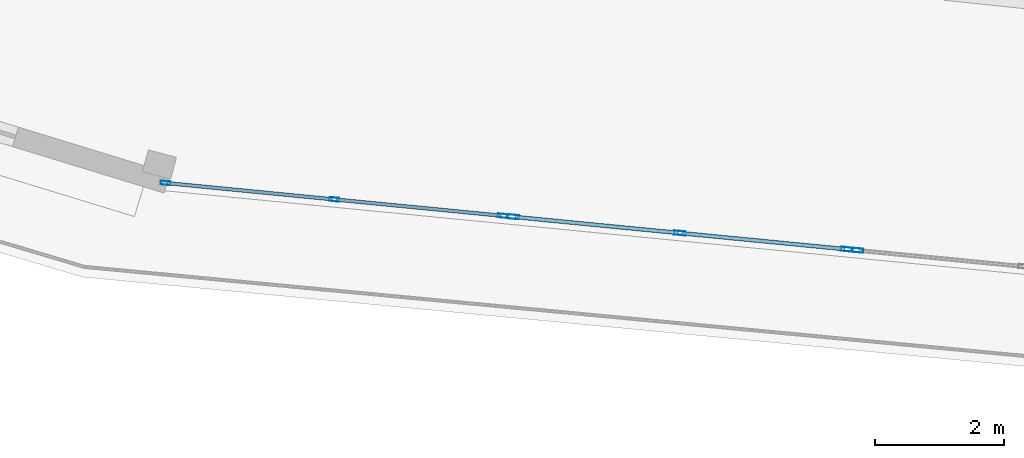
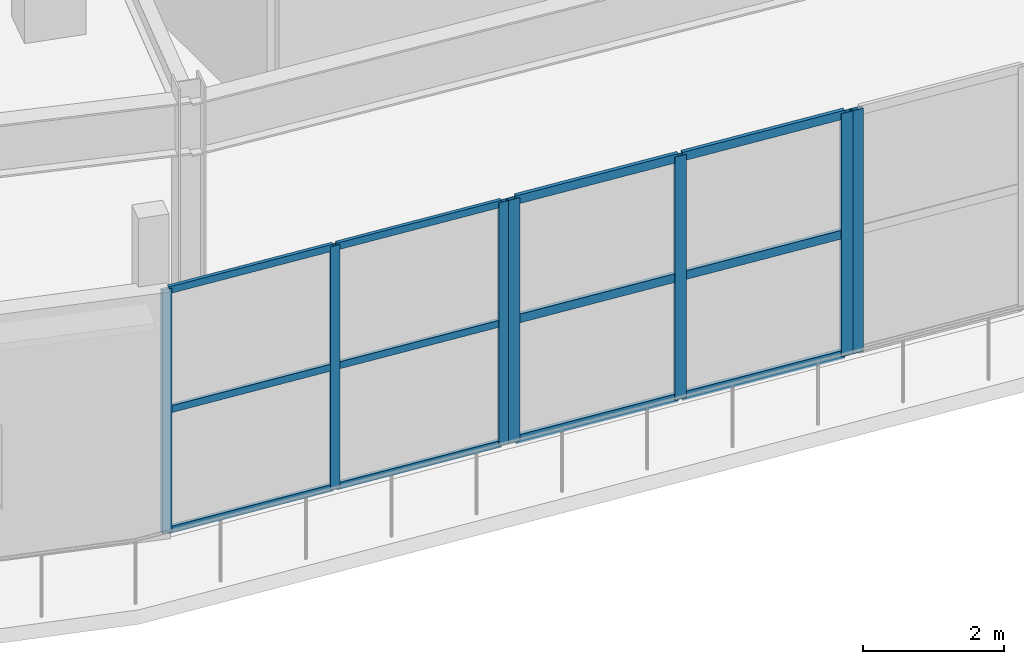
# One storey, part 28 of 123: 19 members, 3 elements without a shape of their own.
"""IFC4 building model written with IfcOpenShell, lengths in metres."""

from ifc_helpers import new_model, si_unit, direction, frame, origin, origin_2d, place, context, subcontext, project, spatial, hollow_rectangle, extrude, material, layer, layer_set, material_profile, profile_set, type_object, element, aggregate, save


model = new_model("IFC4")

# Units and contexts
model_context = context("Model", 3, precision=1e-05, world=origin(), true_north=direction((0.0, 1.0)))
body_context = subcontext(model_context, "Body", "Model", "MODEL_VIEW")
ifc_project = project(units=[si_unit("LENGTHUNIT", "METRE"), si_unit("AREAUNIT", "SQUARE_METRE"), si_unit("VOLUMEUNIT", "CUBIC_METRE"), si_unit("PLANEANGLEUNIT", "RADIAN"), si_unit("MASSUNIT", "GRAM", prefix="KILO")], contexts=[model_context])

# Site, building, storey
site_placement = place(None, origin())
site = spatial("IfcSite", under=ifc_project, at=site_placement, CompositionType="ELEMENT")
building_placement = place(site_placement, origin())
building = spatial("IfcBuilding", under=site, at=building_placement, Name="Kalgoora Escarpment Arena", CompositionType="ELEMENT")
storey_placement = place(building_placement, frame((0.0, 0.0, 9.89990234375)))
storey = spatial("IfcBuildingStorey", under=building, at=storey_placement, Name="L02", CompositionType="ELEMENT", Elevation=9.89990234375)

# Curtain wall, members
ifc_material_1 = material(Name=" Champagne anodised aluminium & double-glazed low-E", Category="aluminium")
ifc_layer_1 = layer(ifc_material_1, 0.154052734375)
ifc_layer_set_1 = layer_set([ifc_layer_1], Name="CW-UNIT-11")
curtain_wall_type_1 = type_object("IfcCurtainWallType", Name="CW-UNIT-11", PredefinedType="NOTDEFINED", material=ifc_layer_set_1)
curtain_wall_1_placement = place(storey_placement, origin())
curtain_wall_1 = element("IfcCurtainWall", 1, at=curtain_wall_1_placement, inside=storey, type_object=curtain_wall_type_1, Name="L02 unitised facade curtain wall 050", PredefinedType="NOTDEFINED")
ifc_material_2 = material(Name="Anodised aluminium 6063-T6", Category="aluminium")
ifc_material_profile_1 = material_profile(ifc_material_2, hollow_rectangle(XDim=0.06005859375, YDim=0.14990234375, WallThickness=0.00341796875, at=origin_2d()))
ifc_profile_set_1 = profile_set([ifc_material_profile_1], Name="Anodised aluminium 6063-T6")
member_type_1 = type_object("IfcMemberType", Name="MEM-CW-MULL-150", PredefinedType="MULLION", material=ifc_profile_set_1)
member_1_placement = place(storey_placement, frame((76.376220703125, 4.479736328125, 0.02001953125), z_axis=(0.0, 0.0, 1.0), x_axis=(-0.096853045283, -0.995298692664, 0.0)))
member_1 = element("IfcMember", 2, at=member_1_placement, type_object=member_type_1, Name="CW-11 mullion 1", PredefinedType="MULLION", context=body_context, shape_type="SweptSolid", body=[
    extrude(hollow_rectangle(XDim=0.06005859375, YDim=0.14990234375, WallThickness=0.00341796875, at=origin_2d()), origin(), (0.0, 0.0, 1.0), 4.205078125),
])
member_2_placement = place(storey_placement, frame((73.771728515625, 4.733154296875, 0.02001953125), z_axis=(0.0, 0.0, 1.0), x_axis=(-0.096853045283, -0.995298692664, 0.0)))
member_2 = element("IfcMember", 3, at=member_2_placement, type_object=member_type_1, Name="CW-11 mullion 2", PredefinedType="MULLION", context=body_context, shape_type="SweptSolid", body=[
    extrude(hollow_rectangle(XDim=0.06005859375, YDim=0.14990234375, WallThickness=0.00341796875, at=origin_2d()), origin(), (0.0, 0.0, 1.0), 4.205078125),
])
member_3_placement = place(storey_placement, frame((71.16748046875, 4.98681640625, 0.02001953125), z_axis=(0.0, 0.0, 1.0), x_axis=(-0.096853045283, -0.995298692664, 0.0)))
member_3 = element("IfcMember", 4, at=member_3_placement, type_object=member_type_1, Name="CW-11 mullion 3", PredefinedType="MULLION", context=body_context, shape_type="SweptSolid", body=[
    extrude(hollow_rectangle(XDim=0.06005859375, YDim=0.14990234375, WallThickness=0.00341796875, at=origin_2d()), origin(), (0.0, 0.0, 1.0), 4.205078125),
])

# Curtain wall, member
ifc_material_3 = material(Name=" Champagne anodised aluminium & double-glazed low-E", Category="aluminium")
ifc_layer_2 = layer(ifc_material_3, 0.166015625)
ifc_layer_set_2 = layer_set([ifc_layer_2], Name="CW-UNIT-09")
curtain_wall_type_2 = type_object("IfcCurtainWallType", Name="CW-UNIT-09", PredefinedType="NOTDEFINED", material=ifc_layer_set_2)
curtain_wall_2_placement = place(storey_placement, origin())
curtain_wall_2 = element("IfcCurtainWall", 5, at=curtain_wall_2_placement, inside=storey, type_object=curtain_wall_type_2, Name="L02 unitised facade curtain wall 048", PredefinedType="NOTDEFINED")
ifc_material_4 = material(Name="Anodised aluminium 6063-T6", Category="aluminium")
ifc_material_profile_2 = material_profile(ifc_material_4, hollow_rectangle(XDim=0.06494140625, YDim=0.179931640625, WallThickness=0.00390625, at=origin_2d()))
ifc_profile_set_2 = profile_set([ifc_material_profile_2], Name="Anodised aluminium 6063-T6")
member_type_2 = type_object("IfcMemberType", Name="MEM-CW-MULL-180", PredefinedType="MULLION", material=ifc_profile_set_2)
member_4_placement = place(storey_placement, frame((81.856689453125, 3.946533203125, 0.02001953125), z_axis=(0.0, 0.0, 1.0), x_axis=(-0.096859909317, -0.995298024698, 0.0)))
member_4 = element("IfcMember", 6, at=member_4_placement, type_object=member_type_2, Name="CW-09 mullion 3", PredefinedType="MULLION", context=body_context, shape_type="SweptSolid", body=[
    extrude(hollow_rectangle(XDim=0.06494140625, YDim=0.179931640625, WallThickness=0.00390625, at=origin_2d()), origin(), (0.0, 0.0, 1.0), 4.205078125),
])
aggregate(curtain_wall_2, [member_4])

# Curtain wall, members
ifc_material_5 = material(Name=" Champagne anodised aluminium & double-glazed low-E", Category="aluminium")
ifc_layer_3 = layer(ifc_material_5, 0.14990234375)
ifc_layer_set_3 = layer_set([ifc_layer_3], Name="CW-UNIT-10")
curtain_wall_type_3 = type_object("IfcCurtainWallType", Name="CW-UNIT-10", PredefinedType="NOTDEFINED", material=ifc_layer_set_3)
curtain_wall_3_placement = place(storey_placement, origin())
curtain_wall_3 = element("IfcCurtainWall", 7, at=curtain_wall_3_placement, inside=storey, type_object=curtain_wall_type_3, Name="L02 unitised facade curtain wall 049", PredefinedType="NOTDEFINED")
member_5_placement = place(storey_placement, frame((81.6923828125, 3.96240234375, 0.02001953125), z_axis=(0.0, 0.0, 1.0), x_axis=(-0.096859909317, -0.995298024698, 0.0)))
member_5 = element("IfcMember", 8, at=member_5_placement, type_object=member_type_2, Name="CW-10 mullion 1", PredefinedType="MULLION", context=body_context, shape_type="SweptSolid", body=[
    extrude(hollow_rectangle(XDim=0.06494140625, YDim=0.179931640625, WallThickness=0.00390625, at=origin_2d()), origin(), (0.0, 0.0, 1.0), 4.205078125),
])
member_6_placement = place(storey_placement, frame((79.115234375, 4.213134765625, 0.02001953125), z_axis=(0.0, 0.0, 1.0), x_axis=(-0.096859909317, -0.995298024698, 0.0)))
member_6 = element("IfcMember", 9, at=member_6_placement, type_object=member_type_2, Name="CW-10 mullion 2", PredefinedType="MULLION", context=body_context, shape_type="SweptSolid", body=[
    extrude(hollow_rectangle(XDim=0.06494140625, YDim=0.179931640625, WallThickness=0.00390625, at=origin_2d()), origin(), (0.0, 0.0, 1.0), 4.205078125),
])
member_7_placement = place(storey_placement, frame((76.5380859375, 4.464111328125, 0.02001953125), z_axis=(0.0, 0.0, 1.0), x_axis=(-0.096859909317, -0.995298024698, 0.0)))
member_7 = element("IfcMember", 10, at=member_7_placement, type_object=member_type_2, Name="CW-10 mullion 3", PredefinedType="MULLION", context=body_context, shape_type="SweptSolid", body=[
    extrude(hollow_rectangle(XDim=0.06494140625, YDim=0.179931640625, WallThickness=0.00390625, at=origin_2d()), origin(), (0.0, 0.0, 1.0), 4.205078125),
])

# Member
ifc_material_6 = material(Name="Anodised aluminium 6063-T6", Category="aluminium")
ifc_material_profile_3 = material_profile(ifc_material_6, hollow_rectangle(XDim=0.054931640625, YDim=0.1201171875, WallThickness=0.003173828125, at=origin_2d()))
ifc_profile_set_3 = profile_set([ifc_material_profile_3], Name="Anodised aluminium 6063-T6")
member_type_3 = type_object("IfcMemberType", Name="MEM-CW-TRAN-120", PredefinedType="USERDEFINED", material=ifc_profile_set_3)
member_8_placement = place(storey_placement, frame((76.346435546875, 4.482666015625, 0.047607421875), z_axis=(-0.995301156318, 0.096827724504, 0.0), x_axis=(-0.096827724504, -0.995301156318, 0.0)))
member_8 = element("IfcMember", 11, at=member_8_placement, type_object=member_type_3, Name="CW-11 transom 1.1", ObjectType="TRANSOM", PredefinedType="USERDEFINED", context=body_context, shape_type="SweptSolid", body=[
    extrude(hollow_rectangle(XDim=0.054931640625, YDim=0.1201171875, WallThickness=0.003173828125, at=origin_2d()), origin(), (0.0, 0.0, 1.0), 2.556640625),
])

member_9_placement = place(storey_placement, frame((76.346435546875, 4.482666015625, 2.132568359375), z_axis=(-0.995301156318, 0.096827724504, 0.0), x_axis=(-0.096827724504, -0.995301156318, 0.0)))
member_9 = element("IfcMember", 12, at=member_9_placement, type_object=member_type_3, Name="CW-11 transom 1.2", ObjectType="TRANSOM", PredefinedType="USERDEFINED", context=body_context, shape_type="SweptSolid", body=[
    extrude(hollow_rectangle(XDim=0.054931640625, YDim=0.1201171875, WallThickness=0.003173828125, at=origin_2d()), origin(), (0.0, 0.0, 1.0), 2.556640625),
])

member_10_placement = place(storey_placement, frame((76.346435546875, 4.482666015625, 4.197509765625), z_axis=(-0.995301156318, 0.096827724504, 0.0), x_axis=(-0.096827724504, -0.995301156318, 0.0)))
member_10 = element("IfcMember", 13, at=member_10_placement, type_object=member_type_3, Name="CW-11 transom 1.3", ObjectType="TRANSOM", PredefinedType="USERDEFINED", context=body_context, shape_type="SweptSolid", body=[
    extrude(hollow_rectangle(XDim=0.054931640625, YDim=0.1201171875, WallThickness=0.003173828125, at=origin_2d()), origin(), (0.0, 0.0, 1.0), 2.556640625),
])

member_11_placement = place(storey_placement, frame((73.741943359375, 4.736083984375, 0.047607421875), z_axis=(-0.995291949192, 0.096922318759, 0.0), x_axis=(-0.096922318759, -0.995291949192, 0.0)))
member_11 = element("IfcMember", 14, at=member_11_placement, type_object=member_type_3, Name="CW-11 transom 2.1", ObjectType="TRANSOM", PredefinedType="USERDEFINED", context=body_context, shape_type="SweptSolid", body=[
    extrude(hollow_rectangle(XDim=0.054931640625, YDim=0.1201171875, WallThickness=0.003173828125, at=origin_2d()), origin(), (0.0, 0.0, 1.0), 2.556640625),
])

member_12_placement = place(storey_placement, frame((73.741943359375, 4.736083984375, 2.132568359375), z_axis=(-0.995291949192, 0.096922318759, 0.0), x_axis=(-0.096922318759, -0.995291949192, 0.0)))
member_12 = element("IfcMember", 15, at=member_12_placement, type_object=member_type_3, Name="CW-11 transom 2.2", ObjectType="TRANSOM", PredefinedType="USERDEFINED", context=body_context, shape_type="SweptSolid", body=[
    extrude(hollow_rectangle(XDim=0.054931640625, YDim=0.1201171875, WallThickness=0.003173828125, at=origin_2d()), origin(), (0.0, 0.0, 1.0), 2.556640625),
])

member_13_placement = place(storey_placement, frame((73.741943359375, 4.736083984375, 4.197509765625), z_axis=(-0.995291949192, 0.096922318759, 0.0), x_axis=(-0.096922318759, -0.995291949192, 0.0)))
member_13 = element("IfcMember", 16, at=member_13_placement, type_object=member_type_3, Name="CW-11 transom 2.3", ObjectType="TRANSOM", PredefinedType="USERDEFINED", context=body_context, shape_type="SweptSolid", body=[
    extrude(hollow_rectangle(XDim=0.054931640625, YDim=0.1201171875, WallThickness=0.003173828125, at=origin_2d()), origin(), (0.0, 0.0, 1.0), 2.556640625),
])

aggregate(curtain_wall_1, [member_1, member_2, member_3, member_8, member_9, member_10, member_11, member_12, member_13])

ifc_material_7 = material(Name="Anodised aluminium 6063-T6", Category="aluminium")
ifc_material_profile_4 = material_profile(ifc_material_7, hollow_rectangle(XDim=0.06005859375, YDim=0.14990234375, WallThickness=0.00341796875, at=origin_2d()))
ifc_profile_set_4 = profile_set([ifc_material_profile_4], Name="Anodised aluminium 6063-T6")
member_type_4 = type_object("IfcMemberType", Name="MEM-CW-TRAN-150", PredefinedType="USERDEFINED", material=ifc_profile_set_4)
member_14_placement = place(storey_placement, frame((81.66015625, 3.965576171875, 0.050048828125), z_axis=(-0.995293308762, 0.096908356368, 0.0), x_axis=(-0.096908356368, -0.995293308762, 0.0)))
member_14 = element("IfcMember", 17, at=member_14_placement, type_object=member_type_4, Name="CW-10 transom 1.1", ObjectType="TRANSOM", PredefinedType="USERDEFINED", context=body_context, shape_type="SweptSolid", body=[
    extrude(hollow_rectangle(XDim=0.06005859375, YDim=0.14990234375, WallThickness=0.00341796875, at=origin_2d()), origin(), (0.0, 0.0, 1.0), 2.5244140625),
])

member_15_placement = place(storey_placement, frame((81.66015625, 3.965576171875, 2.132568359375), z_axis=(-0.995293308762, 0.096908356368, 0.0), x_axis=(-0.096908356368, -0.995293308762, 0.0)))
member_15 = element("IfcMember", 18, at=member_15_placement, type_object=member_type_4, Name="CW-10 transom 1.2", ObjectType="TRANSOM", PredefinedType="USERDEFINED", context=body_context, shape_type="SweptSolid", body=[
    extrude(hollow_rectangle(XDim=0.06005859375, YDim=0.14990234375, WallThickness=0.00341796875, at=origin_2d()), origin(), (0.0, 0.0, 1.0), 2.5244140625),
])

member_16_placement = place(storey_placement, frame((81.66015625, 3.965576171875, 4.195068359375), z_axis=(-0.995293308762, 0.096908356368, 0.0), x_axis=(-0.096908356368, -0.995293308762, 0.0)))
member_16 = element("IfcMember", 19, at=member_16_placement, type_object=member_type_4, Name="CW-10 transom 1.3", ObjectType="TRANSOM", PredefinedType="USERDEFINED", context=body_context, shape_type="SweptSolid", body=[
    extrude(hollow_rectangle(XDim=0.06005859375, YDim=0.14990234375, WallThickness=0.00341796875, at=origin_2d()), origin(), (0.0, 0.0, 1.0), 2.5244140625),
])

member_17_placement = place(storey_placement, frame((79.0830078125, 4.21630859375, 0.050048828125), z_axis=(-0.995293308762, 0.096908356368, 0.0), x_axis=(-0.096908356368, -0.995293308762, 0.0)))
member_17 = element("IfcMember", 20, at=member_17_placement, type_object=member_type_4, Name="CW-10 transom 2.1", ObjectType="TRANSOM", PredefinedType="USERDEFINED", context=body_context, shape_type="SweptSolid", body=[
    extrude(hollow_rectangle(XDim=0.06005859375, YDim=0.14990234375, WallThickness=0.00341796875, at=origin_2d()), origin(), (0.0, 0.0, 1.0), 2.5244140625),
])

member_18_placement = place(storey_placement, frame((79.0830078125, 4.21630859375, 2.132568359375), z_axis=(-0.995293308762, 0.096908356368, 0.0), x_axis=(-0.096908356368, -0.995293308762, 0.0)))
member_18 = element("IfcMember", 21, at=member_18_placement, type_object=member_type_4, Name="CW-10 transom 2.2", ObjectType="TRANSOM", PredefinedType="USERDEFINED", context=body_context, shape_type="SweptSolid", body=[
    extrude(hollow_rectangle(XDim=0.06005859375, YDim=0.14990234375, WallThickness=0.00341796875, at=origin_2d()), origin(), (0.0, 0.0, 1.0), 2.5244140625),
])

member_19_placement = place(storey_placement, frame((79.0830078125, 4.21630859375, 4.195068359375), z_axis=(-0.995293308762, 0.096908356368, 0.0), x_axis=(-0.096908356368, -0.995293308762, 0.0)))
member_19 = element("IfcMember", 22, at=member_19_placement, type_object=member_type_4, Name="CW-10 transom 2.3", ObjectType="TRANSOM", PredefinedType="USERDEFINED", context=body_context, shape_type="SweptSolid", body=[
    extrude(hollow_rectangle(XDim=0.06005859375, YDim=0.14990234375, WallThickness=0.00341796875, at=origin_2d()), origin(), (0.0, 0.0, 1.0), 2.5244140625),
])

aggregate(curtain_wall_3, [member_5, member_6, member_7, member_14, member_15, member_16, member_17, member_18, member_19])

save(model, "model.ifc")
